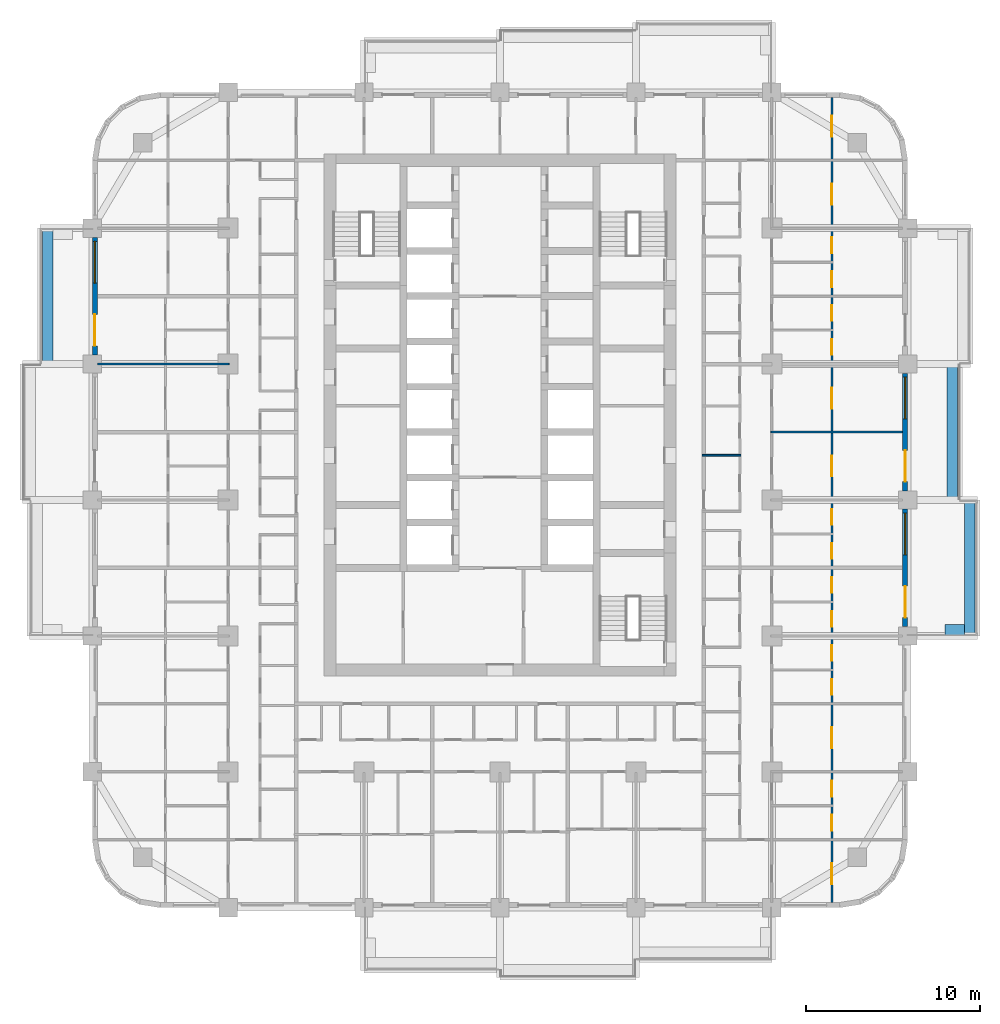
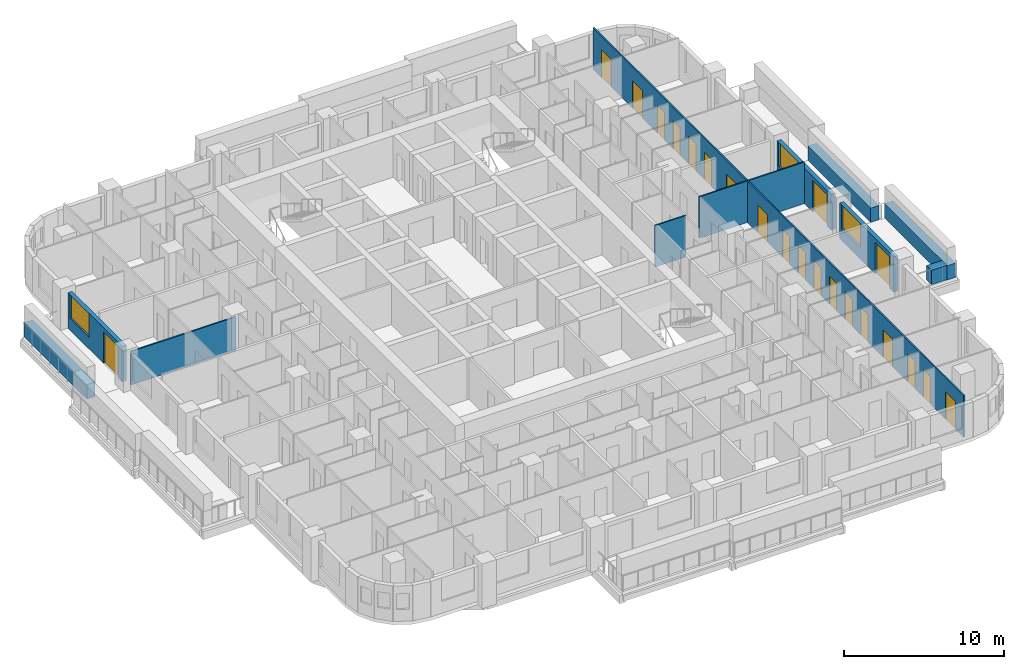
# One storey, part 9 of 17: 21 doors, 11 walls, 3 windows, 24 openings.
"""IFC4 building model written with IfcOpenShell, lengths in metres."""

from ifc_helpers import new_model, si_unit, direction, frame, frame_2d, origin, place, context, subcontext, project, spatial, rectangle, extrude, material, layer, layer_set, type_object, element, fill, save


model = new_model("IFC4")

# Units and contexts
model_context = context("Model", 3, precision=1e-05, world=origin(), true_north=direction((0.0, 1.0)))
body_context = subcontext(model_context, "Body", "Model", "MODEL_VIEW")
ifc_project = project(units=[si_unit("LENGTHUNIT", "METRE"), si_unit("AREAUNIT", "SQUARE_METRE"), si_unit("VOLUMEUNIT", "CUBIC_METRE"), si_unit("PLANEANGLEUNIT", "RADIAN"), si_unit("MASSUNIT", "GRAM", prefix="KILO")], contexts=[model_context])

# Site, building, storey
site_placement = place(None, origin())
site = spatial("IfcSite", under=ifc_project, at=site_placement, CompositionType="ELEMENT")
building_placement = place(site_placement, origin())
building = spatial("IfcBuilding", under=site, at=building_placement, Name="Ludao Terraces", CompositionType="ELEMENT")
storey_placement = place(building_placement, frame((0.0, 0.0, 39.89990234375)))
storey = spatial("IfcBuildingStorey", under=building, at=storey_placement, Name="L10", CompositionType="ELEMENT", Elevation=39.89990234375)

# Walls
ifc_material_1 = material(Name="Concrete C40", Category="concrete")
ifc_layer_1 = layer(ifc_material_1, 0.60009765625)
ifc_layer_set_1 = layer_set([ifc_layer_1], Name="ENV Planter trough 600")
wall_type_1 = type_object("IfcWallType", Name="ENV Planter trough 600", PredefinedType="USERDEFINED", material=ifc_layer_set_1)
wall_1_placement = place(storey_placement, frame((111.949951171875, 57.199951171875, 0.0), z_axis=(0.0, 0.0, 1.0), x_axis=(0.0, 1.0, 0.0)))
element("IfcWall", 1, at=wall_1_placement, inside=storey, type_object=wall_type_1, Name="PL-L10-E2", ObjectType="PLANTER", PredefinedType="USERDEFINED", context=body_context, shape_type="SweptSolid", body=[
    extrude(rectangle(XDim=7.800048828125, YDim=0.60009765625, at=frame_2d((3.89990234375, 0.0))), origin(), (0.0, 0.0, 1.0), 1.10009765625),
])
wall_2_placement = place(storey_placement, frame((111.64990234375, 57.550048828125, 0.0), z_axis=(0.0, 0.0, 1.0), x_axis=(-1.0, 0.0, 0.0)))
element("IfcWall", 2, at=wall_2_placement, inside=storey, type_object=wall_type_1, Name="PL-L10-E2-SA", ObjectType="PLANTER", PredefinedType="USERDEFINED", context=body_context, shape_type="SweptSolid", body=[
    extrude(rectangle(XDim=1.099853515625, YDim=0.60009765625, at=frame_2d((0.5498046875, 0.0))), origin(), (0.0, 0.0, 1.0), 1.10009765625),
])
for number, where, z_axis, x_axis, name in (
    (3, (110.949951171875, 65.0, 0.0), (0.0, 0.0, 1.0), (0.0, 1.0, 0.0), "PL-L10-E3"),
    (4, (59.050048828125, 72.800048828125, 0.0), (0.0, 0.0, 1.0), (0.0, 1.0, 0.0), "PL-L10-W4"),
):
    element("IfcWall", number, at=place(storey_placement, frame(where, z_axis=z_axis, x_axis=x_axis)), inside=storey, type_object=wall_type_1, Name=name, ObjectType="PLANTER", PredefinedType="USERDEFINED", context=body_context, shape_type="SweptSolid", body=[
        extrude(rectangle(XDim=7.800048828125, YDim=0.60009765625, at=frame_2d((3.89990234375, 0.0))), origin(), (0.0, 0.0, 1.0), 1.10009765625),
    ])

# Wall, openings, door, window
ifc_material_2 = material(Name="Granite cladding", Category="masonry")
ifc_layer_2 = layer(ifc_material_2, 0.0400390625, Category="stone")
ifc_material_3 = material(Name="Mineral wool")
ifc_layer_3 = layer(ifc_material_3, 0.06005859375)
ifc_layer_4 = layer(ifc_material_1, 0.199951171875, Category="concrete")
ifc_layer_set_2 = layer_set([ifc_layer_2, ifc_layer_3, ifc_layer_4], Name="ENV Stone-clad wall 300")
wall_type_2 = type_object("IfcWallType", Name="ENV Stone-clad wall 300", PredefinedType="SOLIDWALL", material=ifc_layer_set_2)
wall_3_placement = place(storey_placement, frame((108.25, 57.72509765625, 0.0), z_axis=(0.0, 0.0, 1.0), x_axis=(0.0, 1.0, 0.0)))
wall_3 = element("IfcWall", 5, at=wall_3_placement, inside=storey, type_object=wall_type_2, Name="EW-L10-E3", PredefinedType="SOLIDWALL", context=body_context, shape_type="SweptSolid", body=[
    extrude(rectangle(XDim=6.75, YDim=0.300048828125, at=frame_2d((3.375, 0.0))), origin(), (0.0, 0.0, 1.0), 2.7001953125),
])
opening_1_placement = place(wall_3_placement, frame((0.52490234375, 0.0, 0.0)))
opening_1 = element("IfcOpeningElement", 6, at=opening_1_placement, cuts=wall_3, Name="Opening BD", PredefinedType="OPENING", context=body_context, shape_type="SweptSolid", body=[
    extrude(rectangle(XDim=1.800048828125, YDim=2.39990234375, at=frame_2d((0.89990234375, 1.199951171875))), frame((0.0, 0.16015625, 0.0), z_axis=(0.0, -1.0, 0.0), x_axis=(1.0, 0.0, 0.0)), (0.0, 0.0, 1.0), 0.320068359375),
])
opening_2_placement = place(wall_3_placement, frame((4.125, 0.0, 0.89990234375)))
opening_2 = element("IfcOpeningElement", 7, at=opening_2_placement, cuts=wall_3, Name="Opening W1", PredefinedType="OPENING", context=body_context, shape_type="SweptSolid", body=[
    extrude(rectangle(XDim=2.39990234375, YDim=1.800048828125, at=frame_2d((1.199951171875, 0.89990234375))), frame((0.0, 0.16015625, 0.0), z_axis=(0.0, -1.0, 0.0), x_axis=(1.0, 0.0, 0.0)), (0.0, 0.0, 1.0), 0.320068359375),
])
ifc_material_4 = material(Name="Aluminium glazed door", Category="aluminium")
ifc_layer_5 = layer(ifc_material_4, 0.06005859375)
ifc_layer_set_3 = layer_set([ifc_layer_5], Name="ENV Balcony door BD 1800x2400")
door_type_1 = type_object("IfcDoorType", Name="ENV Balcony door BD 1800x2400", OperationType="DOUBLE_DOOR_SINGLE_SWING", PredefinedType="DOOR", material=ifc_layer_set_3)
door_1_placement = place(opening_1_placement, origin())
door_1 = element("IfcDoor", 8, at=door_1_placement, inside=storey, type_object=door_type_1, Name="BD-L10-E3-1", OperationType="DOUBLE_DOOR_SINGLE_SWING", OverallHeight=2.39990234375, OverallWidth=1.800048828125, PredefinedType="DOOR", context=body_context, shape_type="SweptSolid", body=[
    extrude(rectangle(XDim=1.800048828125, YDim=2.39990234375, at=frame_2d((0.89990234375, 1.199951171875))), frame((0.0, 0.02490234375, 0.0), z_axis=(0.0, -1.0, 0.0), x_axis=(1.0, 0.0, 0.0)), (0.0, 0.0, 1.0), 0.050048828125),
])
fill(opening_1, door_1)
ifc_material_5 = material(Name="Clear glass in aluminium frame", Category="aluminium")
ifc_layer_6 = layer(ifc_material_5, 0.06005859375)
ifc_layer_set_4 = layer_set([ifc_layer_6], Name="ENV Window W1 2400x1800")
window_type = type_object("IfcWindowType", Name="ENV Window W1 2400x1800", PartitioningType="DOUBLE_PANEL_VERTICAL", PredefinedType="WINDOW", material=ifc_layer_set_4)
window_1_placement = place(opening_2_placement, origin())
window_1 = element("IfcWindow", 9, at=window_1_placement, inside=storey, type_object=window_type, Name="W-L10-E3-2", OverallHeight=1.800048828125, OverallWidth=2.39990234375, PartitioningType="DOUBLE_PANEL_VERTICAL", PredefinedType="WINDOW", context=body_context, shape_type="SweptSolid", body=[
    extrude(rectangle(XDim=2.39990234375, YDim=1.800048828125, at=frame_2d((1.199951171875, 0.89990234375))), frame((0.0, 0.030029296875, 0.0), z_axis=(0.0, -1.0, 0.0), x_axis=(1.0, 0.0, 0.0)), (0.0, 0.0, 1.0), 0.06005859375),
])
fill(opening_2, window_1)

wall_4_placement = place(storey_placement, frame((108.25, 65.52490234375, 0.0), z_axis=(0.0, 0.0, 1.0), x_axis=(0.0, 1.0, 0.0)))
wall_4 = element("IfcWall", 10, at=wall_4_placement, inside=storey, type_object=wall_type_2, Name="EW-L10-E4", PredefinedType="SOLIDWALL", context=body_context, shape_type="SweptSolid", body=[
    extrude(rectangle(XDim=6.75, YDim=0.300048828125, at=frame_2d((3.375, 0.0))), origin(), (0.0, 0.0, 1.0), 2.7001953125),
])
opening_3_placement = place(wall_4_placement, frame((0.52490234375, 0.0, 0.0)))
opening_3 = element("IfcOpeningElement", 11, at=opening_3_placement, cuts=wall_4, Name="Opening BD", PredefinedType="OPENING", context=body_context, shape_type="SweptSolid", body=[
    extrude(rectangle(XDim=1.800048828125, YDim=2.39990234375, at=frame_2d((0.89990234375, 1.199951171875))), frame((0.0, 0.16015625, 0.0), z_axis=(0.0, -1.0, 0.0), x_axis=(1.0, 0.0, 0.0)), (0.0, 0.0, 1.0), 0.320068359375),
])
opening_4_placement = place(wall_4_placement, frame((4.125, 0.0, 0.89990234375)))
opening_4 = element("IfcOpeningElement", 12, at=opening_4_placement, cuts=wall_4, Name="Opening W1", PredefinedType="OPENING", context=body_context, shape_type="SweptSolid", body=[
    extrude(rectangle(XDim=2.39990234375, YDim=1.800048828125, at=frame_2d((1.199951171875, 0.89990234375))), frame((0.0, 0.16015625, 0.0), z_axis=(0.0, -1.0, 0.0), x_axis=(1.0, 0.0, 0.0)), (0.0, 0.0, 1.0), 0.320068359375),
])
door_2_placement = place(opening_3_placement, origin())
door_2 = element("IfcDoor", 13, at=door_2_placement, inside=storey, type_object=door_type_1, Name="BD-L10-E4-1", OperationType="DOUBLE_DOOR_SINGLE_SWING", OverallHeight=2.39990234375, OverallWidth=1.800048828125, PredefinedType="DOOR", context=body_context, shape_type="SweptSolid", body=[
    extrude(rectangle(XDim=1.800048828125, YDim=2.39990234375, at=frame_2d((0.89990234375, 1.199951171875))), frame((0.0, 0.02490234375, 0.0), z_axis=(0.0, -1.0, 0.0), x_axis=(1.0, 0.0, 0.0)), (0.0, 0.0, 1.0), 0.050048828125),
])
fill(opening_3, door_2)
window_2_placement = place(opening_4_placement, origin())
window_2 = element("IfcWindow", 14, at=window_2_placement, inside=storey, type_object=window_type, Name="W-L10-E4-2", OverallHeight=1.800048828125, OverallWidth=2.39990234375, PartitioningType="DOUBLE_PANEL_VERTICAL", PredefinedType="WINDOW", context=body_context, shape_type="SweptSolid", body=[
    extrude(rectangle(XDim=2.39990234375, YDim=1.800048828125, at=frame_2d((1.199951171875, 0.89990234375))), frame((0.0, 0.030029296875, 0.0), z_axis=(0.0, -1.0, 0.0), x_axis=(1.0, 0.0, 0.0)), (0.0, 0.0, 1.0), 0.06005859375),
])
fill(opening_4, window_2)

wall_5_placement = place(storey_placement, frame((61.75, 73.324951171875, 0.0), z_axis=(0.0, 0.0, 1.0), x_axis=(0.0, 1.0, 0.0)))
wall_5 = element("IfcWall", 15, at=wall_5_placement, inside=storey, type_object=wall_type_2, Name="EW-L10-W5", PredefinedType="SOLIDWALL", context=body_context, shape_type="SweptSolid", body=[
    extrude(rectangle(XDim=6.75, YDim=0.300048828125, at=frame_2d((3.375, 0.0))), origin(), (0.0, 0.0, 1.0), 2.7001953125),
])
opening_5_placement = place(wall_5_placement, frame((0.52490234375, 0.0, 0.0)))
opening_5 = element("IfcOpeningElement", 16, at=opening_5_placement, cuts=wall_5, Name="Opening BD", PredefinedType="OPENING", context=body_context, shape_type="SweptSolid", body=[
    extrude(rectangle(XDim=1.800048828125, YDim=2.39990234375, at=frame_2d((0.89990234375, 1.199951171875))), frame((0.0, 0.16015625, 0.0), z_axis=(0.0, -1.0, 0.0), x_axis=(1.0, 0.0, 0.0)), (0.0, 0.0, 1.0), 0.320068359375),
])
opening_6_placement = place(wall_5_placement, frame((4.125, 0.0, 0.89990234375)))
opening_6 = element("IfcOpeningElement", 17, at=opening_6_placement, cuts=wall_5, Name="Opening W1", PredefinedType="OPENING", context=body_context, shape_type="SweptSolid", body=[
    extrude(rectangle(XDim=2.39990234375, YDim=1.800048828125, at=frame_2d((1.199951171875, 0.89990234375))), frame((0.0, 0.16015625, 0.0), z_axis=(0.0, -1.0, 0.0), x_axis=(1.0, 0.0, 0.0)), (0.0, 0.0, 1.0), 0.320068359375),
])
door_3_placement = place(opening_5_placement, origin())
door_3 = element("IfcDoor", 18, at=door_3_placement, inside=storey, type_object=door_type_1, Name="BD-L10-W5-1", OperationType="DOUBLE_DOOR_SINGLE_SWING", OverallHeight=2.39990234375, OverallWidth=1.800048828125, PredefinedType="DOOR", context=body_context, shape_type="SweptSolid", body=[
    extrude(rectangle(XDim=1.800048828125, YDim=2.39990234375, at=frame_2d((0.89990234375, 1.199951171875))), frame((0.0, 0.02490234375, 0.0), z_axis=(0.0, -1.0, 0.0), x_axis=(1.0, 0.0, 0.0)), (0.0, 0.0, 1.0), 0.050048828125),
])
fill(opening_5, door_3)
window_3_placement = place(opening_6_placement, origin())
window_3 = element("IfcWindow", 19, at=window_3_placement, inside=storey, type_object=window_type, Name="W-L10-W5-2", OverallHeight=1.800048828125, OverallWidth=2.39990234375, PartitioningType="DOUBLE_PANEL_VERTICAL", PredefinedType="WINDOW", context=body_context, shape_type="SweptSolid", body=[
    extrude(rectangle(XDim=2.39990234375, YDim=1.800048828125, at=frame_2d((1.199951171875, 0.89990234375))), frame((0.0, 0.030029296875, 0.0), z_axis=(0.0, -1.0, 0.0), x_axis=(1.0, 0.0, 0.0)), (0.0, 0.0, 1.0), 0.06005859375),
])
fill(opening_6, window_3)

# Walls
ifc_material_6 = material(Name="Gypsum plasterboard", Category="gypsum")
ifc_layer_7 = layer(ifc_material_6, 0.012451171875, Category="gypsum")
ifc_layer_8 = layer(ifc_material_3, 0.06005859375, Name="insulation")
ifc_material_7 = material(Name="Steel Q235", Category="steel")
ifc_layer_9 = layer(ifc_material_7, 0.014892578125, Name="stud")
ifc_layer_10 = layer(ifc_material_6, 0.012451171875, Category="gypsum")
ifc_layer_set_5 = layer_set([ifc_layer_7, ifc_layer_8, ifc_layer_9, ifc_layer_10], Name="INT Partition 100")
wall_type_3 = type_object("IfcWallType", Name="INT Partition 100", PredefinedType="PARTITIONING", material=ifc_layer_set_5)
wall_6_placement = place(storey_placement, frame((96.60009765625, 67.570068359375, 0.0), z_axis=(0.0, 0.0, 1.0), x_axis=(1.0, 0.0, 0.0)))
element("IfcWall", 20, at=wall_6_placement, inside=storey, type_object=wall_type_3, Name="PW-L10-PW048", PredefinedType="PARTITIONING", context=body_context, shape_type="SweptSolid", body=[
    extrude(rectangle(XDim=2.219970703125, YDim=0.10009765625, at=frame_2d((1.10986328125, 0.0))), origin(), (0.0, 0.0, 1.0), 3.150146484375),
])
wall_7_placement = place(storey_placement, frame((100.550048828125, 68.89990234375, 0.0), z_axis=(0.0, 0.0, 1.0), x_axis=(1.0, 0.0, 0.0)))
element("IfcWall", 21, at=wall_7_placement, inside=storey, type_object=wall_type_3, Name="PW-L10-PW050", PredefinedType="PARTITIONING", context=body_context, shape_type="SweptSolid", body=[
    extrude(rectangle(XDim=7.550048828125, YDim=0.10009765625, at=frame_2d((3.77490234375, 0.0))), origin(), (0.0, 0.0, 1.0), 3.150146484375),
])
wall_8_placement = place(storey_placement, frame((61.900146484375, 72.800048828125, 0.0), z_axis=(0.0, 0.0, 1.0), x_axis=(1.0, 0.0, 0.0)))
element("IfcWall", 22, at=wall_8_placement, inside=storey, type_object=wall_type_3, Name="PW-L10-PW056", PredefinedType="PARTITIONING", context=body_context, shape_type="SweptSolid", body=[
    extrude(rectangle(XDim=7.550048828125, YDim=0.10009765625, at=frame_2d((3.77490234375, 0.0))), origin(), (0.0, 0.0, 1.0), 2.550048828125),
])

# Wall, openings, doors
wall_9_placement = place(storey_placement, frame((104.050048828125, 41.900146484375, 0.0), z_axis=(0.0, 0.0, 1.0), x_axis=(0.0, 1.0, 0.0)))
wall_9 = element("IfcWall", 23, at=wall_9_placement, inside=storey, type_object=wall_type_3, Name="PW-L10-PW124", PredefinedType="PARTITIONING", context=body_context, shape_type="SweptSolid", body=[
    extrude(rectangle(XDim=46.199951171875, YDim=0.10009765625, at=frame_2d((23.10009765625, 0.0))), origin(), (0.0, 0.0, 1.0), 3.150146484375),
])
opening_7_placement = place(wall_9_placement, frame((1.050048828125, 0.0, 0.0)))
opening_7 = element("IfcOpeningElement", 24, at=opening_7_placement, cuts=wall_9, Name="Opening R03-004", PredefinedType="OPENING", context=body_context, shape_type="SweptSolid", body=[
    extrude(rectangle(XDim=1.199951171875, YDim=2.10009765625, at=frame_2d((0.60009765625, 1.050048828125))), frame((0.0, 0.06005859375, 0.0), z_axis=(0.0, -1.0, 0.0), x_axis=(1.0, 0.0, 0.0)), (0.0, 0.0, 1.0), 0.1201171875),
])
opening_8_placement = place(wall_9_placement, frame((4.125, 0.0, 0.0)))
opening_8 = element("IfcOpeningElement", 25, at=opening_8_placement, cuts=wall_9, Name="Opening R03-017", PredefinedType="OPENING", context=body_context, shape_type="SweptSolid", body=[
    extrude(rectangle(XDim=0.89990234375, YDim=2.10009765625, at=frame_2d((0.449951171875, 1.050048828125))), frame((0.0, 0.06005859375, 0.0), z_axis=(0.0, -1.0, 0.0), x_axis=(1.0, 0.0, 0.0)), (0.0, 0.0, 1.0), 0.1201171875),
])
opening_9_placement = place(wall_9_placement, frame((6.074951171875, 0.0, 0.0)))
opening_9 = element("IfcOpeningElement", 26, at=opening_9_placement, cuts=wall_9, Name="Opening R03-023", PredefinedType="OPENING", context=body_context, shape_type="SweptSolid", body=[
    extrude(rectangle(XDim=0.89990234375, YDim=2.10009765625, at=frame_2d((0.449951171875, 1.050048828125))), frame((0.0, 0.06005859375, 0.0), z_axis=(0.0, -1.0, 0.0), x_axis=(1.0, 0.0, 0.0)), (0.0, 0.0, 1.0), 0.1201171875),
])
opening_10_placement = place(wall_9_placement, frame((8.85009765625, 0.0, 0.0)))
opening_10 = element("IfcOpeningElement", 27, at=opening_10_placement, cuts=wall_9, Name="Opening R03-044", PredefinedType="OPENING", context=body_context, shape_type="SweptSolid", body=[
    extrude(rectangle(XDim=1.199951171875, YDim=2.10009765625, at=frame_2d((0.60009765625, 1.050048828125))), frame((0.0, 0.06005859375, 0.0), z_axis=(0.0, -1.0, 0.0), x_axis=(1.0, 0.0, 0.0)), (0.0, 0.0, 1.0), 0.1201171875),
])
opening_11_placement = place(wall_9_placement, frame((11.925048828125, 0.0, 0.0)))
opening_11 = element("IfcOpeningElement", 28, at=opening_11_placement, cuts=wall_9, Name="Opening R03-052", PredefinedType="OPENING", context=body_context, shape_type="SweptSolid", body=[
    extrude(rectangle(XDim=0.89990234375, YDim=2.10009765625, at=frame_2d((0.449951171875, 1.050048828125))), frame((0.0, 0.06005859375, 0.0), z_axis=(0.0, -1.0, 0.0), x_axis=(1.0, 0.0, 0.0)), (0.0, 0.0, 1.0), 0.1201171875),
])
opening_12_placement = place(wall_9_placement, frame((13.875, 0.0, 0.0)))
opening_12 = element("IfcOpeningElement", 29, at=opening_12_placement, cuts=wall_9, Name="Opening R03-058", PredefinedType="OPENING", context=body_context, shape_type="SweptSolid", body=[
    extrude(rectangle(XDim=0.89990234375, YDim=2.10009765625, at=frame_2d((0.449951171875, 1.050048828125))), frame((0.0, 0.06005859375, 0.0), z_axis=(0.0, -1.0, 0.0), x_axis=(1.0, 0.0, 0.0)), (0.0, 0.0, 1.0), 0.1201171875),
])
opening_13_placement = place(wall_9_placement, frame((15.824951171875, 0.0, 0.0)))
opening_13 = element("IfcOpeningElement", 30, at=opening_13_placement, cuts=wall_9, Name="Opening R03-066", PredefinedType="OPENING", context=body_context, shape_type="SweptSolid", body=[
    extrude(rectangle(XDim=0.89990234375, YDim=2.10009765625, at=frame_2d((0.449951171875, 1.050048828125))), frame((0.0, 0.06005859375, 0.0), z_axis=(0.0, -1.0, 0.0), x_axis=(1.0, 0.0, 0.0)), (0.0, 0.0, 1.0), 0.1201171875),
])
opening_14_placement = place(wall_9_placement, frame((17.77490234375, 0.0, 0.0)))
opening_14 = element("IfcOpeningElement", 31, at=opening_14_placement, cuts=wall_9, Name="Opening R03-072", PredefinedType="OPENING", context=body_context, shape_type="SweptSolid", body=[
    extrude(rectangle(XDim=0.89990234375, YDim=2.10009765625, at=frame_2d((0.449951171875, 1.050048828125))), frame((0.0, 0.06005859375, 0.0), z_axis=(0.0, -1.0, 0.0), x_axis=(1.0, 0.0, 0.0)), (0.0, 0.0, 1.0), 0.1201171875),
])
opening_15_placement = place(wall_9_placement, frame((19.72509765625, 0.0, 0.0)))
opening_15 = element("IfcOpeningElement", 32, at=opening_15_placement, cuts=wall_9, Name="Opening R03-076", PredefinedType="OPENING", context=body_context, shape_type="SweptSolid", body=[
    extrude(rectangle(XDim=0.89990234375, YDim=2.10009765625, at=frame_2d((0.449951171875, 1.050048828125))), frame((0.0, 0.06005859375, 0.0), z_axis=(0.0, -1.0, 0.0), x_axis=(1.0, 0.0, 0.0)), (0.0, 0.0, 1.0), 0.1201171875),
])
opening_16_placement = place(wall_9_placement, frame((21.675048828125, 0.0, 0.0)))
opening_16 = element("IfcOpeningElement", 33, at=opening_16_placement, cuts=wall_9, Name="Opening R03-084", PredefinedType="OPENING", context=body_context, shape_type="SweptSolid", body=[
    extrude(rectangle(XDim=0.89990234375, YDim=2.10009765625, at=frame_2d((0.449951171875, 1.050048828125))), frame((0.0, 0.06005859375, 0.0), z_axis=(0.0, -1.0, 0.0), x_axis=(1.0, 0.0, 0.0)), (0.0, 0.0, 1.0), 0.1201171875),
])
opening_17_placement = place(wall_9_placement, frame((24.449951171875, 0.0, 0.0)))
opening_17 = element("IfcOpeningElement", 34, at=opening_17_placement, cuts=wall_9, Name="Opening R03-093", PredefinedType="OPENING", context=body_context, shape_type="SweptSolid", body=[
    extrude(rectangle(XDim=1.199951171875, YDim=2.10009765625, at=frame_2d((0.60009765625, 1.050048828125))), frame((0.0, 0.06005859375, 0.0), z_axis=(0.0, -1.0, 0.0), x_axis=(1.0, 0.0, 0.0)), (0.0, 0.0, 1.0), 0.1201171875),
])
opening_18_placement = place(wall_9_placement, frame((28.35009765625, 0.0, 0.0)))
opening_18 = element("IfcOpeningElement", 35, at=opening_18_placement, cuts=wall_9, Name="Opening R03-106", PredefinedType="OPENING", context=body_context, shape_type="SweptSolid", body=[
    extrude(rectangle(XDim=1.199951171875, YDim=2.10009765625, at=frame_2d((0.60009765625, 1.050048828125))), frame((0.0, 0.06005859375, 0.0), z_axis=(0.0, -1.0, 0.0), x_axis=(1.0, 0.0, 0.0)), (0.0, 0.0, 1.0), 0.1201171875),
])
opening_19_placement = place(wall_9_placement, frame((31.425048828125, 0.0, 0.0)))
opening_19 = element("IfcOpeningElement", 36, at=opening_19_placement, cuts=wall_9, Name="Opening R03-116", PredefinedType="OPENING", context=body_context, shape_type="SweptSolid", body=[
    extrude(rectangle(XDim=0.89990234375, YDim=2.10009765625, at=frame_2d((0.449951171875, 1.050048828125))), frame((0.0, 0.06005859375, 0.0), z_axis=(0.0, -1.0, 0.0), x_axis=(1.0, 0.0, 0.0)), (0.0, 0.0, 1.0), 0.1201171875),
])
opening_20_placement = place(wall_9_placement, frame((33.375, 0.0, 0.0)))
opening_20 = element("IfcOpeningElement", 37, at=opening_20_placement, cuts=wall_9, Name="Opening R03-126", PredefinedType="OPENING", context=body_context, shape_type="SweptSolid", body=[
    extrude(rectangle(XDim=0.89990234375, YDim=2.10009765625, at=frame_2d((0.449951171875, 1.050048828125))), frame((0.0, 0.06005859375, 0.0), z_axis=(0.0, -1.0, 0.0), x_axis=(1.0, 0.0, 0.0)), (0.0, 0.0, 1.0), 0.1201171875),
])
opening_21_placement = place(wall_9_placement, frame((35.324951171875, 0.0, 0.0)))
opening_21 = element("IfcOpeningElement", 38, at=opening_21_placement, cuts=wall_9, Name="Opening R03-128", PredefinedType="OPENING", context=body_context, shape_type="SweptSolid", body=[
    extrude(rectangle(XDim=0.89990234375, YDim=2.10009765625, at=frame_2d((0.449951171875, 1.050048828125))), frame((0.0, 0.06005859375, 0.0), z_axis=(0.0, -1.0, 0.0), x_axis=(1.0, 0.0, 0.0)), (0.0, 0.0, 1.0), 0.1201171875),
])
opening_22_placement = place(wall_9_placement, frame((37.27490234375, 0.0, 0.0)))
opening_22 = element("IfcOpeningElement", 39, at=opening_22_placement, cuts=wall_9, Name="Opening R03-138", PredefinedType="OPENING", context=body_context, shape_type="SweptSolid", body=[
    extrude(rectangle(XDim=0.89990234375, YDim=2.10009765625, at=frame_2d((0.449951171875, 1.050048828125))), frame((0.0, 0.06005859375, 0.0), z_axis=(0.0, -1.0, 0.0), x_axis=(1.0, 0.0, 0.0)), (0.0, 0.0, 1.0), 0.1201171875),
])
opening_23_placement = place(wall_9_placement, frame((40.050048828125, 0.0, 0.0)))
opening_23 = element("IfcOpeningElement", 40, at=opening_23_placement, cuts=wall_9, Name="Opening R03-148", PredefinedType="OPENING", context=body_context, shape_type="SweptSolid", body=[
    extrude(rectangle(XDim=1.199951171875, YDim=2.10009765625, at=frame_2d((0.60009765625, 1.050048828125))), frame((0.0, 0.06005859375, 0.0), z_axis=(0.0, -1.0, 0.0), x_axis=(1.0, 0.0, 0.0)), (0.0, 0.0, 1.0), 0.1201171875),
])
opening_24_placement = place(wall_9_placement, frame((43.949951171875, 0.0, 0.0)))
opening_24 = element("IfcOpeningElement", 41, at=opening_24_placement, cuts=wall_9, Name="Opening R03-164", PredefinedType="OPENING", context=body_context, shape_type="SweptSolid", body=[
    extrude(rectangle(XDim=1.199951171875, YDim=2.10009765625, at=frame_2d((0.60009765625, 1.050048828125))), frame((0.0, 0.06005859375, 0.0), z_axis=(0.0, -1.0, 0.0), x_axis=(1.0, 0.0, 0.0)), (0.0, 0.0, 1.0), 0.1201171875),
])
ifc_material_8 = material(Name="Timber door leaf", Category="wood")
door_type_2 = type_object("IfcDoorType", Name="INT Bathroom door 900", OperationType="SINGLE_SWING_LEFT", PredefinedType="DOOR", material=ifc_material_8)
door_4_placement = place(opening_8_placement, origin())
door_4 = element("IfcDoor", 42, at=door_4_placement, inside=storey, type_object=door_type_2, Name="DOOR 017", OperationType="SINGLE_SWING_LEFT", OverallHeight=2.10009765625, OverallWidth=0.89990234375, PredefinedType="DOOR", context=body_context, shape_type="SweptSolid", body=[
    extrude(rectangle(XDim=0.89990234375, YDim=2.10009765625, at=frame_2d((0.449951171875, 1.050048828125))), frame((0.0, 0.02490234375, 0.0), z_axis=(0.0, -1.0, 0.0), x_axis=(1.0, 0.0, 0.0)), (0.0, 0.0, 1.0), 0.050048828125),
])
fill(opening_8, door_4)
door_5_placement = place(opening_11_placement, origin())
door_5 = element("IfcDoor", 43, at=door_5_placement, inside=storey, type_object=door_type_2, Name="DOOR 052", OperationType="SINGLE_SWING_LEFT", OverallHeight=2.10009765625, OverallWidth=0.89990234375, PredefinedType="DOOR", context=body_context, shape_type="SweptSolid", body=[
    extrude(rectangle(XDim=0.89990234375, YDim=2.10009765625, at=frame_2d((0.449951171875, 1.050048828125))), frame((0.0, 0.02490234375, 0.0), z_axis=(0.0, -1.0, 0.0), x_axis=(1.0, 0.0, 0.0)), (0.0, 0.0, 1.0), 0.050048828125),
])
fill(opening_11, door_5)
door_6_placement = place(opening_13_placement, origin())
door_6 = element("IfcDoor", 44, at=door_6_placement, inside=storey, type_object=door_type_2, Name="DOOR 066", OperationType="SINGLE_SWING_LEFT", OverallHeight=2.10009765625, OverallWidth=0.89990234375, PredefinedType="DOOR", context=body_context, shape_type="SweptSolid", body=[
    extrude(rectangle(XDim=0.89990234375, YDim=2.10009765625, at=frame_2d((0.449951171875, 1.050048828125))), frame((0.0, 0.02490234375, 0.0), z_axis=(0.0, -1.0, 0.0), x_axis=(1.0, 0.0, 0.0)), (0.0, 0.0, 1.0), 0.050048828125),
])
fill(opening_13, door_6)
door_7_placement = place(opening_15_placement, origin())
door_7 = element("IfcDoor", 45, at=door_7_placement, inside=storey, type_object=door_type_2, Name="DOOR 076", OperationType="SINGLE_SWING_LEFT", OverallHeight=2.10009765625, OverallWidth=0.89990234375, PredefinedType="DOOR", context=body_context, shape_type="SweptSolid", body=[
    extrude(rectangle(XDim=0.89990234375, YDim=2.10009765625, at=frame_2d((0.449951171875, 1.050048828125))), frame((0.0, 0.02490234375, 0.0), z_axis=(0.0, -1.0, 0.0), x_axis=(1.0, 0.0, 0.0)), (0.0, 0.0, 1.0), 0.050048828125),
])
fill(opening_15, door_7)
door_8_placement = place(opening_19_placement, origin())
door_8 = element("IfcDoor", 46, at=door_8_placement, inside=storey, type_object=door_type_2, Name="DOOR 116", OperationType="SINGLE_SWING_LEFT", OverallHeight=2.10009765625, OverallWidth=0.89990234375, PredefinedType="DOOR", context=body_context, shape_type="SweptSolid", body=[
    extrude(rectangle(XDim=0.89990234375, YDim=2.10009765625, at=frame_2d((0.449951171875, 1.050048828125))), frame((0.0, 0.02490234375, 0.0), z_axis=(0.0, -1.0, 0.0), x_axis=(1.0, 0.0, 0.0)), (0.0, 0.0, 1.0), 0.050048828125),
])
fill(opening_19, door_8)
door_9_placement = place(opening_21_placement, origin())
door_9 = element("IfcDoor", 47, at=door_9_placement, inside=storey, type_object=door_type_2, Name="DOOR 128", OperationType="SINGLE_SWING_LEFT", OverallHeight=2.10009765625, OverallWidth=0.89990234375, PredefinedType="DOOR", context=body_context, shape_type="SweptSolid", body=[
    extrude(rectangle(XDim=0.89990234375, YDim=2.10009765625, at=frame_2d((0.449951171875, 1.050048828125))), frame((0.0, 0.02490234375, 0.0), z_axis=(0.0, -1.0, 0.0), x_axis=(1.0, 0.0, 0.0)), (0.0, 0.0, 1.0), 0.050048828125),
])
fill(opening_21, door_9)
door_type_3 = type_object("IfcDoorType", Name="INT Double door 1200", OperationType="DOUBLE_DOOR_SINGLE_SWING", PredefinedType="DOOR", material=ifc_material_8)
door_10_placement = place(opening_7_placement, origin())
door_10 = element("IfcDoor", 48, at=door_10_placement, inside=storey, type_object=door_type_3, Name="DOOR 004", OperationType="DOUBLE_DOOR_SINGLE_SWING", OverallHeight=2.10009765625, OverallWidth=1.199951171875, PredefinedType="DOOR", context=body_context, shape_type="SweptSolid", body=[
    extrude(rectangle(XDim=1.199951171875, YDim=2.10009765625, at=frame_2d((0.60009765625, 1.050048828125))), frame((0.0, 0.02490234375, 0.0), z_axis=(0.0, -1.0, 0.0), x_axis=(1.0, 0.0, 0.0)), (0.0, 0.0, 1.0), 0.050048828125),
])
fill(opening_7, door_10)
door_11_placement = place(opening_10_placement, origin())
door_11 = element("IfcDoor", 49, at=door_11_placement, inside=storey, type_object=door_type_3, Name="DOOR 044", OperationType="DOUBLE_DOOR_SINGLE_SWING", OverallHeight=2.10009765625, OverallWidth=1.199951171875, PredefinedType="DOOR", context=body_context, shape_type="SweptSolid", body=[
    extrude(rectangle(XDim=1.199951171875, YDim=2.10009765625, at=frame_2d((0.60009765625, 1.050048828125))), frame((0.0, 0.02490234375, 0.0), z_axis=(0.0, -1.0, 0.0), x_axis=(1.0, 0.0, 0.0)), (0.0, 0.0, 1.0), 0.050048828125),
])
fill(opening_10, door_11)
door_12_placement = place(opening_17_placement, origin())
door_12 = element("IfcDoor", 50, at=door_12_placement, inside=storey, type_object=door_type_3, Name="DOOR 093", OperationType="DOUBLE_DOOR_SINGLE_SWING", OverallHeight=2.10009765625, OverallWidth=1.199951171875, PredefinedType="DOOR", context=body_context, shape_type="SweptSolid", body=[
    extrude(rectangle(XDim=1.199951171875, YDim=2.10009765625, at=frame_2d((0.60009765625, 1.050048828125))), frame((0.0, 0.02490234375, 0.0), z_axis=(0.0, -1.0, 0.0), x_axis=(1.0, 0.0, 0.0)), (0.0, 0.0, 1.0), 0.050048828125),
])
fill(opening_17, door_12)
door_13_placement = place(opening_18_placement, origin())
door_13 = element("IfcDoor", 51, at=door_13_placement, inside=storey, type_object=door_type_3, Name="DOOR 106", OperationType="DOUBLE_DOOR_SINGLE_SWING", OverallHeight=2.10009765625, OverallWidth=1.199951171875, PredefinedType="DOOR", context=body_context, shape_type="SweptSolid", body=[
    extrude(rectangle(XDim=1.199951171875, YDim=2.10009765625, at=frame_2d((0.60009765625, 1.050048828125))), frame((0.0, 0.02490234375, 0.0), z_axis=(0.0, -1.0, 0.0), x_axis=(1.0, 0.0, 0.0)), (0.0, 0.0, 1.0), 0.050048828125),
])
fill(opening_18, door_13)
door_14_placement = place(opening_23_placement, origin())
door_14 = element("IfcDoor", 52, at=door_14_placement, inside=storey, type_object=door_type_3, Name="DOOR 148", OperationType="DOUBLE_DOOR_SINGLE_SWING", OverallHeight=2.10009765625, OverallWidth=1.199951171875, PredefinedType="DOOR", context=body_context, shape_type="SweptSolid", body=[
    extrude(rectangle(XDim=1.199951171875, YDim=2.10009765625, at=frame_2d((0.60009765625, 1.050048828125))), frame((0.0, 0.02490234375, 0.0), z_axis=(0.0, -1.0, 0.0), x_axis=(1.0, 0.0, 0.0)), (0.0, 0.0, 1.0), 0.050048828125),
])
fill(opening_23, door_14)
door_15_placement = place(opening_24_placement, origin())
door_15 = element("IfcDoor", 53, at=door_15_placement, inside=storey, type_object=door_type_3, Name="DOOR 164", OperationType="DOUBLE_DOOR_SINGLE_SWING", OverallHeight=2.10009765625, OverallWidth=1.199951171875, PredefinedType="DOOR", context=body_context, shape_type="SweptSolid", body=[
    extrude(rectangle(XDim=1.199951171875, YDim=2.10009765625, at=frame_2d((0.60009765625, 1.050048828125))), frame((0.0, 0.02490234375, 0.0), z_axis=(0.0, -1.0, 0.0), x_axis=(1.0, 0.0, 0.0)), (0.0, 0.0, 1.0), 0.050048828125),
])
fill(opening_24, door_15)
door_type_4 = type_object("IfcDoorType", Name="INT Room door 900", OperationType="SINGLE_SWING_LEFT", PredefinedType="DOOR", material=ifc_material_8)
door_16_placement = place(opening_9_placement, origin())
door_16 = element("IfcDoor", 54, at=door_16_placement, inside=storey, type_object=door_type_4, Name="DOOR 023", OperationType="SINGLE_SWING_RIGHT", OverallHeight=2.10009765625, OverallWidth=0.89990234375, PredefinedType="DOOR", context=body_context, shape_type="SweptSolid", body=[
    extrude(rectangle(XDim=0.89990234375, YDim=2.10009765625, at=frame_2d((0.449951171875, 1.050048828125))), frame((0.0, 0.02490234375, 0.0), z_axis=(0.0, -1.0, 0.0), x_axis=(1.0, 0.0, 0.0)), (0.0, 0.0, 1.0), 0.050048828125),
])
fill(opening_9, door_16)
door_17_placement = place(opening_12_placement, origin())
door_17 = element("IfcDoor", 55, at=door_17_placement, inside=storey, type_object=door_type_4, Name="DOOR 058", OperationType="SINGLE_SWING_RIGHT", OverallHeight=2.10009765625, OverallWidth=0.89990234375, PredefinedType="DOOR", context=body_context, shape_type="SweptSolid", body=[
    extrude(rectangle(XDim=0.89990234375, YDim=2.10009765625, at=frame_2d((0.449951171875, 1.050048828125))), frame((0.0, 0.02490234375, 0.0), z_axis=(0.0, -1.0, 0.0), x_axis=(1.0, 0.0, 0.0)), (0.0, 0.0, 1.0), 0.050048828125),
])
fill(opening_12, door_17)
door_18_placement = place(opening_14_placement, origin())
door_18 = element("IfcDoor", 56, at=door_18_placement, inside=storey, type_object=door_type_4, Name="DOOR 072", OperationType="SINGLE_SWING_LEFT", OverallHeight=2.10009765625, OverallWidth=0.89990234375, PredefinedType="DOOR", context=body_context, shape_type="SweptSolid", body=[
    extrude(rectangle(XDim=0.89990234375, YDim=2.10009765625, at=frame_2d((0.449951171875, 1.050048828125))), frame((0.0, 0.02490234375, 0.0), z_axis=(0.0, -1.0, 0.0), x_axis=(1.0, 0.0, 0.0)), (0.0, 0.0, 1.0), 0.050048828125),
])
fill(opening_14, door_18)
door_19_placement = place(opening_16_placement, origin())
door_19 = element("IfcDoor", 57, at=door_19_placement, inside=storey, type_object=door_type_4, Name="DOOR 084", OperationType="SINGLE_SWING_LEFT", OverallHeight=2.10009765625, OverallWidth=0.89990234375, PredefinedType="DOOR", context=body_context, shape_type="SweptSolid", body=[
    extrude(rectangle(XDim=0.89990234375, YDim=2.10009765625, at=frame_2d((0.449951171875, 1.050048828125))), frame((0.0, 0.02490234375, 0.0), z_axis=(0.0, -1.0, 0.0), x_axis=(1.0, 0.0, 0.0)), (0.0, 0.0, 1.0), 0.050048828125),
])
fill(opening_16, door_19)
door_20_placement = place(opening_20_placement, origin())
door_20 = element("IfcDoor", 58, at=door_20_placement, inside=storey, type_object=door_type_4, Name="DOOR 126", OperationType="SINGLE_SWING_LEFT", OverallHeight=2.10009765625, OverallWidth=0.89990234375, PredefinedType="DOOR", context=body_context, shape_type="SweptSolid", body=[
    extrude(rectangle(XDim=0.89990234375, YDim=2.10009765625, at=frame_2d((0.449951171875, 1.050048828125))), frame((0.0, 0.02490234375, 0.0), z_axis=(0.0, -1.0, 0.0), x_axis=(1.0, 0.0, 0.0)), (0.0, 0.0, 1.0), 0.050048828125),
])
fill(opening_20, door_20)
door_21_placement = place(opening_22_placement, origin())
door_21 = element("IfcDoor", 59, at=door_21_placement, inside=storey, type_object=door_type_4, Name="DOOR 138", OperationType="SINGLE_SWING_LEFT", OverallHeight=2.10009765625, OverallWidth=0.89990234375, PredefinedType="DOOR", context=body_context, shape_type="SweptSolid", body=[
    extrude(rectangle(XDim=0.89990234375, YDim=2.10009765625, at=frame_2d((0.449951171875, 1.050048828125))), frame((0.0, 0.02490234375, 0.0), z_axis=(0.0, -1.0, 0.0), x_axis=(1.0, 0.0, 0.0)), (0.0, 0.0, 1.0), 0.050048828125),
])
fill(opening_22, door_21)

save(model, "model.ifc")
